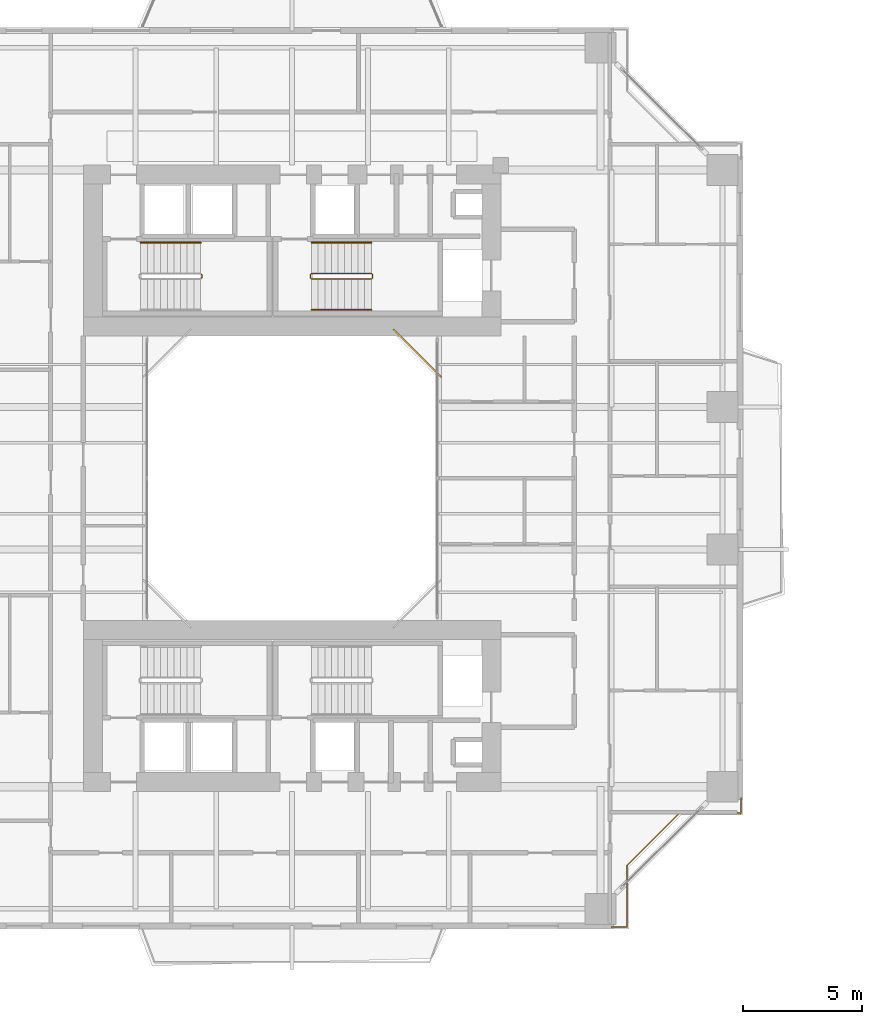
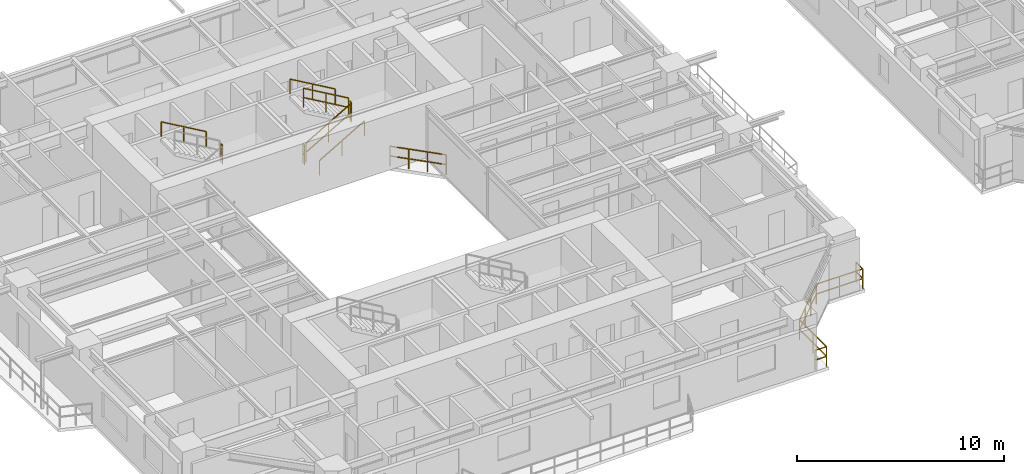
# One storey, part 20 of 22: 10 railings.
"""IFC4 building model written with IfcOpenShell, lengths in metres."""

from ifc_helpers import new_model, si_unit, direction, frame, origin, origin_2d, place, context, subcontext, project, spatial, rectangle, extrude, material, type_object, element, save


model = new_model("IFC4")

# Units and contexts
model_context = context("Model", 3, precision=1e-05, world=origin(), true_north=direction((0.0, 1.0)))
body_context = subcontext(model_context, "Body", "Model", "MODEL_VIEW")
ifc_project = project(units=[si_unit("LENGTHUNIT", "METRE"), si_unit("AREAUNIT", "SQUARE_METRE"), si_unit("VOLUMEUNIT", "CUBIC_METRE"), si_unit("PLANEANGLEUNIT", "RADIAN"), si_unit("MASSUNIT", "GRAM", prefix="KILO"), si_unit("THERMODYNAMICTEMPERATUREUNIT", "KELVIN"), si_unit("POWERUNIT", "WATT")], contexts=[model_context])

# Site, building, storey
site_placement = place(None, origin())
site = spatial("IfcSite", under=ifc_project, at=site_placement, CompositionType="ELEMENT")
building_placement = place(site_placement, origin())
building = spatial("IfcBuilding", under=site, at=building_placement, Name="Qiaomeng Ring Towers", CompositionType="ELEMENT")
storey_placement = place(building_placement, frame((0.0, 0.0, 53.5)))
storey = spatial("IfcBuildingStorey", under=building, at=storey_placement, Name="L14", CompositionType="ELEMENT", Elevation=53.5)

# Railings
ifc_material_1 = material(Name="Low-E pale-green laminated safety glass", Category="glass")
railing_type_1 = type_object("IfcRailingType", Name="ARC-RL-BAL1", PredefinedType="BALUSTRADE", material=ifc_material_1)
railing_1_placement = place(storey_placement, frame((25.280029296875, 27.280029296875, 0.0)))
element("IfcRailing", 1, at=railing_1_placement, inside=storey, type_object=railing_type_1, Name="L14 Balustrade ARC-BAL-WELL1-L14-2", PredefinedType="BALUSTRADE", context=body_context, shape_type="SweptSolid", body=[
    extrude(rectangle(XDim=0.048095703125, YDim=0.048095703125, at=origin_2d()), frame((0.0, 0.0, 1.17578125), z_axis=(-0.707106781187, 0.707106781187, 0.0), x_axis=(-0.707106781187, -0.707106781187, 0.0)), (0.0, 0.0, 1.0), 2.828369140625),
    extrude(rectangle(XDim=0.048095703125, YDim=0.048095703125, at=origin_2d()), frame((0.0, 0.0, 0.60009765625), z_axis=(-0.707106781187, 0.707106781187, 0.0), x_axis=(-0.707106781187, -0.707106781187, 0.0)), (0.0, 0.0, 1.0), 2.828369140625),
    extrude(rectangle(XDim=0.0419921875, YDim=0.0419921875, at=origin_2d()), origin(), (0.0, 0.0, 1.0), 1.15185546875),
    extrude(rectangle(XDim=0.0419921875, YDim=0.0419921875, at=origin_2d()), frame((-0.666748046875, 0.666748046875, 0.0)), (0.0, 0.0, 1.0), 1.15185546875),
    extrude(rectangle(XDim=0.0419921875, YDim=0.0419921875, at=origin_2d()), frame((-1.333251953125, 1.333251953125, 0.0)), (0.0, 0.0, 1.0), 1.15185546875),
    extrude(rectangle(XDim=0.0419921875, YDim=0.0419921875, at=origin_2d()), frame((-2.0, 2.0, 0.0)), (0.0, 0.0, 1.0), 1.15185546875),
])
railing_2_placement = place(storey_placement, frame((32.469970703125, 4.080078125, 0.0)))
element("IfcRailing", 2, at=railing_2_placement, inside=storey, type_object=railing_type_1, Name="L14 Balustrade ARC-BAL-NOTCH1-L14-SE", PredefinedType="BALUSTRADE", context=body_context, shape_type="SweptSolid", body=[
    extrude(rectangle(XDim=0.048095703125, YDim=0.048095703125, at=origin_2d()), frame((0.0, 0.0, 1.17578125), z_axis=(1.0, 0.0, 0.0), x_axis=(0.0, 1.0, 0.0)), (0.0, 0.0, 1.0), 0.650146484375),
    extrude(rectangle(XDim=0.048095703125, YDim=0.048095703125, at=origin_2d()), frame((0.0, 0.0, 0.60009765625), z_axis=(1.0, 0.0, 0.0), x_axis=(0.0, 1.0, 0.0)), (0.0, 0.0, 1.0), 0.650146484375),
    extrude(rectangle(XDim=0.048095703125, YDim=0.048095703125, at=origin_2d()), frame((0.650146484375, 0.0, 1.17578125), z_axis=(0.0, 1.0, 0.0), x_axis=(-1.0, 0.0, 0.0)), (0.0, 0.0, 1.0), 2.599853515625),
    extrude(rectangle(XDim=0.048095703125, YDim=0.048095703125, at=origin_2d()), frame((0.650146484375, 0.0, 0.60009765625), z_axis=(0.0, 1.0, 0.0), x_axis=(-1.0, 0.0, 0.0)), (0.0, 0.0, 1.0), 2.599853515625),
    extrude(rectangle(XDim=0.048095703125, YDim=0.048095703125, at=origin_2d()), frame((0.650146484375, 2.599853515625, 1.17578125), z_axis=(0.707106781187, 0.707106781187, 0.0), x_axis=(-0.707106781187, 0.707106781187, 0.0)), (0.0, 0.0, 1.0), 3.111083984375),
    extrude(rectangle(XDim=0.048095703125, YDim=0.048095703125, at=origin_2d()), frame((0.650146484375, 2.599853515625, 0.60009765625), z_axis=(0.707106781187, 0.707106781187, 0.0), x_axis=(-0.707106781187, 0.707106781187, 0.0)), (0.0, 0.0, 1.0), 3.111083984375),
    extrude(rectangle(XDim=0.048095703125, YDim=0.048095703125, at=origin_2d()), frame((2.85009765625, 4.7998046875, 1.17578125), z_axis=(1.0, 0.0, 0.0), x_axis=(0.0, 1.0, 0.0)), (0.0, 0.0, 1.0), 2.599853515625),
    extrude(rectangle(XDim=0.048095703125, YDim=0.048095703125, at=origin_2d()), frame((2.85009765625, 4.7998046875, 0.60009765625), z_axis=(1.0, 0.0, 0.0), x_axis=(0.0, 1.0, 0.0)), (0.0, 0.0, 1.0), 2.599853515625),
    extrude(rectangle(XDim=0.048095703125, YDim=0.048095703125, at=origin_2d()), frame((5.449951171875, 4.7998046875, 1.17578125), z_axis=(0.0, 1.0, 0.0), x_axis=(-1.0, 0.0, 0.0)), (0.0, 0.0, 1.0), 0.650146484375),
    extrude(rectangle(XDim=0.048095703125, YDim=0.048095703125, at=origin_2d()), frame((5.449951171875, 4.7998046875, 0.60009765625), z_axis=(0.0, 1.0, 0.0), x_axis=(-1.0, 0.0, 0.0)), (0.0, 0.0, 1.0), 0.650146484375),
    extrude(rectangle(XDim=0.0419921875, YDim=0.0419921875, at=origin_2d()), origin(), (0.0, 0.0, 1.0), 1.15185546875),
    extrude(rectangle(XDim=0.0419921875, YDim=0.0419921875, at=origin_2d()), frame((0.650146484375, 0.0, 0.0)), (0.0, 0.0, 1.0), 1.15185546875),
    extrude(rectangle(XDim=0.0419921875, YDim=0.0419921875, at=origin_2d()), frame((0.650146484375, 1.2998046875, 0.0)), (0.0, 0.0, 1.0), 1.15185546875),
    extrude(rectangle(XDim=0.0419921875, YDim=0.0419921875, at=origin_2d()), frame((0.650146484375, 2.599853515625, 0.0)), (0.0, 0.0, 1.0), 1.15185546875),
    extrude(rectangle(XDim=0.0419921875, YDim=0.0419921875, at=origin_2d()), frame((1.383544921875, 3.333251953125, 0.0)), (0.0, 0.0, 1.0), 1.15185546875),
    extrude(rectangle(XDim=0.0419921875, YDim=0.0419921875, at=origin_2d()), frame((2.11669921875, 4.06640625, 0.0)), (0.0, 0.0, 1.0), 1.15185546875),
    extrude(rectangle(XDim=0.0419921875, YDim=0.0419921875, at=origin_2d()), frame((2.85009765625, 4.7998046875, 0.0)), (0.0, 0.0, 1.0), 1.15185546875),
    extrude(rectangle(XDim=0.0419921875, YDim=0.0419921875, at=origin_2d()), frame((4.14990234375, 4.7998046875, 0.0)), (0.0, 0.0, 1.0), 1.15185546875),
    extrude(rectangle(XDim=0.0419921875, YDim=0.0419921875, at=origin_2d()), frame((5.449951171875, 4.7998046875, 0.0)), (0.0, 0.0, 1.0), 1.15185546875),
    extrude(rectangle(XDim=0.0419921875, YDim=0.0419921875, at=origin_2d()), frame((5.449951171875, 5.449951171875, 0.0)), (0.0, 0.0, 1.0), 1.15185546875),
])
ifc_material_2 = material(Name="Galvanised steel", Category="steel")
railing_type_2 = type_object("IfcRailingType", Name="ARC-RL-GUARD", PredefinedType="GUARDRAIL", material=ifc_material_2)
railing_3_placement = place(storey_placement, frame((15.18994140625, 31.449951171875, 1.625)))
element("IfcRailing", 3, at=railing_3_placement, inside=storey, type_object=railing_type_2, Name="L14 ST1 stair guard 2", PredefinedType="GUARDRAIL", context=body_context, shape_type="SweptSolid", body=[
    extrude(rectangle(XDim=0.048095703125, YDim=0.048095703125, at=origin_2d()), frame((0.0, 0.0, 1.1259765625), z_axis=(0.0, 1.0, 0.0), x_axis=(-1.0, 0.0, 0.0)), (0.0, 0.0, 1.0), 0.14013671875),
    extrude(rectangle(XDim=0.048095703125, YDim=0.048095703125, at=origin_2d()), frame((0.0, 0.0, 0.574951171875), z_axis=(0.0, 1.0, 0.0), x_axis=(-1.0, 0.0, 0.0)), (0.0, 0.0, 1.0), 0.14013671875),
    extrude(rectangle(XDim=0.0419921875, YDim=0.0419921875, at=origin_2d()), origin(), (0.0, 0.0, 1.0), 1.101806640625),
    extrude(rectangle(XDim=0.0419921875, YDim=0.0419921875, at=origin_2d()), frame((0.0, 0.14013671875, 0.0)), (0.0, 0.0, 1.0), 1.101806640625),
])
railing_4_placement = place(storey_placement, frame((19.820068359375, 31.39990234375, 0.16259765625)))
element("IfcRailing", 4, at=railing_4_placement, inside=storey, type_object=railing_type_2, Name="L14 ST2 stair guard 1", PredefinedType="GUARDRAIL", context=body_context, shape_type="SweptSolid", body=[
    extrude(rectangle(XDim=0.048095703125, YDim=0.048095703125, at=origin_2d()), frame((0.0, 0.0, 1.1259765625), z_axis=(0.864913338283, 0.0, 0.50192122615), x_axis=(0.0, 1.0, 0.0)), (0.0, 0.0, 1.0), 2.91357421875),
    extrude(rectangle(XDim=0.048095703125, YDim=0.048095703125, at=origin_2d()), frame((0.0, 0.0, 0.574951171875), z_axis=(0.864913338283, 0.0, 0.50192122615), x_axis=(0.0, 1.0, 0.0)), (0.0, 0.0, 1.0), 2.91357421875),
    extrude(rectangle(XDim=0.0419921875, YDim=0.0419921875, at=origin_2d()), origin(), (0.0, 0.0, 1.0), 1.101806640625),
    extrude(rectangle(XDim=0.0419921875, YDim=0.0419921875, at=origin_2d()), frame((1.260009765625, 0.0, 0.731201171875)), (0.0, 0.0, 1.0), 1.101806640625),
    extrude(rectangle(XDim=0.0419921875, YDim=0.0419921875, at=origin_2d()), frame((2.52001953125, 0.0, 1.46240234375)), (0.0, 0.0, 1.0), 1.101806640625),
])
railing_5_placement = place(storey_placement, frame((22.389892578125, 31.449951171875, 1.625)))
element("IfcRailing", 5, at=railing_5_placement, inside=storey, type_object=railing_type_2, Name="L14 ST2 stair guard 2", PredefinedType="GUARDRAIL", context=body_context, shape_type="SweptSolid", body=[
    extrude(rectangle(XDim=0.048095703125, YDim=0.048095703125, at=origin_2d()), frame((0.0, 0.0, 1.1259765625), z_axis=(0.0, 1.0, 0.0), x_axis=(-1.0, 0.0, 0.0)), (0.0, 0.0, 1.0), 0.14013671875),
    extrude(rectangle(XDim=0.048095703125, YDim=0.048095703125, at=origin_2d()), frame((0.0, 0.0, 0.574951171875), z_axis=(0.0, 1.0, 0.0), x_axis=(-1.0, 0.0, 0.0)), (0.0, 0.0, 1.0), 0.14013671875),
    extrude(rectangle(XDim=0.0419921875, YDim=0.0419921875, at=origin_2d()), origin(), (0.0, 0.0, 1.0), 1.101806640625),
    extrude(rectangle(XDim=0.0419921875, YDim=0.0419921875, at=origin_2d()), frame((0.0, 0.14013671875, 0.0)), (0.0, 0.0, 1.0), 1.101806640625),
])
railing_6_placement = place(storey_placement, frame((22.340087890625, 31.639892578125, 1.78759765625)))
element("IfcRailing", 6, at=railing_6_placement, inside=storey, type_object=railing_type_2, Name="L14 ST2 stair guard 3", PredefinedType="GUARDRAIL", context=body_context, shape_type="SweptSolid", body=[
    extrude(rectangle(XDim=0.048095703125, YDim=0.048095703125, at=origin_2d()), frame((0.0, 0.0, 1.1259765625), z_axis=(-0.864913338283, 0.0, 0.50192122615), x_axis=(0.0, -1.0, 0.0)), (0.0, 0.0, 1.0), 2.91357421875),
    extrude(rectangle(XDim=0.048095703125, YDim=0.048095703125, at=origin_2d()), frame((0.0, 0.0, 0.574951171875), z_axis=(-0.864913338283, 0.0, 0.50192122615), x_axis=(0.0, -1.0, 0.0)), (0.0, 0.0, 1.0), 2.91357421875),
    extrude(rectangle(XDim=0.0419921875, YDim=0.0419921875, at=origin_2d()), origin(), (0.0, 0.0, 1.0), 1.101806640625),
    extrude(rectangle(XDim=0.0419921875, YDim=0.0419921875, at=origin_2d()), frame((-1.260009765625, 0.0, 0.731201171875)), (0.0, 0.0, 1.0), 1.101806640625),
    extrude(rectangle(XDim=0.0419921875, YDim=0.0419921875, at=origin_2d()), frame((-2.52001953125, 0.0, 1.46240234375)), (0.0, 0.0, 1.0), 1.101806640625),
])
railing_7_placement = place(storey_placement, frame((19.77001953125, 31.449951171875, 0.0)))
element("IfcRailing", 7, at=railing_7_placement, inside=storey, type_object=railing_type_2, Name="L14 ST2 stair guard 4", PredefinedType="GUARDRAIL", context=body_context, shape_type="SweptSolid", body=[
    extrude(rectangle(XDim=0.048095703125, YDim=0.048095703125, at=origin_2d()), frame((0.0, 0.0, 1.1259765625), z_axis=(0.0, 1.0, 0.0), x_axis=(-1.0, 0.0, 0.0)), (0.0, 0.0, 1.0), 0.14013671875),
    extrude(rectangle(XDim=0.048095703125, YDim=0.048095703125, at=origin_2d()), frame((0.0, 0.0, 0.574951171875), z_axis=(0.0, 1.0, 0.0), x_axis=(-1.0, 0.0, 0.0)), (0.0, 0.0, 1.0), 0.14013671875),
    extrude(rectangle(XDim=0.0419921875, YDim=0.0419921875, at=origin_2d()), origin(), (0.0, 0.0, 1.0), 1.101806640625),
    extrude(rectangle(XDim=0.0419921875, YDim=0.0419921875, at=origin_2d()), frame((0.0, 0.14013671875, 0.0)), (0.0, 0.0, 1.0), 1.101806640625),
])
ifc_material_3 = material(Name="Stainless steel 316", Category="steel")
railing_type_3 = type_object("IfcRailingType", Name="ARC-RL-HAND", PredefinedType="HANDRAIL", material=ifc_material_3)
railing_8_placement = place(storey_placement, frame((15.139892578125, 32.93994140625, 1.78759765625)))
element("IfcRailing", 8, at=railing_8_placement, inside=storey, type_object=railing_type_3, Name="L14 ST1 stair handrail 2", PredefinedType="HANDRAIL", context=body_context, shape_type="SweptSolid", body=[
    extrude(rectangle(XDim=0.048095703125, YDim=0.048095703125, at=origin_2d()), frame((0.0, 0.0, 0.8759765625), z_axis=(-0.864892226395, 0.0, 0.501957604506), x_axis=(0.0, -1.0, 0.0)), (0.0, 0.0, 1.0), 2.913330078125),
    extrude(rectangle(XDim=0.0419921875, YDim=0.0419921875, at=origin_2d()), origin(), (0.0, 0.0, 1.0), 0.851806640625),
    extrude(rectangle(XDim=0.0419921875, YDim=0.0419921875, at=origin_2d()), frame((-1.259765625, 0.0, 0.731201171875)), (0.0, 0.0, 1.0), 0.851806640625),
    extrude(rectangle(XDim=0.0419921875, YDim=0.0419921875, at=origin_2d()), frame((-2.519775390625, 0.0, 1.46240234375)), (0.0, 0.0, 1.0), 0.851806640625),
])
railing_9_placement = place(storey_placement, frame((19.820068359375, 30.10009765625, 0.16259765625)))
element("IfcRailing", 9, at=railing_9_placement, inside=storey, type_object=railing_type_3, Name="L14 ST2 stair handrail 1", PredefinedType="HANDRAIL", context=body_context, shape_type="SweptSolid", body=[
    extrude(rectangle(XDim=0.048095703125, YDim=0.048095703125, at=origin_2d()), frame((0.0, 0.0, 0.8759765625), z_axis=(0.864913338283, 0.0, 0.50192122615), x_axis=(0.0, 1.0, 0.0)), (0.0, 0.0, 1.0), 2.91357421875),
    extrude(rectangle(XDim=0.0419921875, YDim=0.0419921875, at=origin_2d()), origin(), (0.0, 0.0, 1.0), 0.851806640625),
    extrude(rectangle(XDim=0.0419921875, YDim=0.0419921875, at=origin_2d()), frame((1.260009765625, 0.0, 0.731201171875)), (0.0, 0.0, 1.0), 0.851806640625),
    extrude(rectangle(XDim=0.0419921875, YDim=0.0419921875, at=origin_2d()), frame((2.52001953125, 0.0, 1.46240234375)), (0.0, 0.0, 1.0), 0.851806640625),
])
railing_10_placement = place(storey_placement, frame((22.340087890625, 32.93994140625, 1.78759765625)))
element("IfcRailing", 10, at=railing_10_placement, inside=storey, type_object=railing_type_3, Name="L14 ST2 stair handrail 2", PredefinedType="HANDRAIL", context=body_context, shape_type="SweptSolid", body=[
    extrude(rectangle(XDim=0.048095703125, YDim=0.048095703125, at=origin_2d()), frame((0.0, 0.0, 0.8759765625), z_axis=(-0.864913338283, 0.0, 0.50192122615), x_axis=(0.0, -1.0, 0.0)), (0.0, 0.0, 1.0), 2.91357421875),
    extrude(rectangle(XDim=0.0419921875, YDim=0.0419921875, at=origin_2d()), origin(), (0.0, 0.0, 1.0), 0.851806640625),
    extrude(rectangle(XDim=0.0419921875, YDim=0.0419921875, at=origin_2d()), frame((-1.260009765625, 0.0, 0.731201171875)), (0.0, 0.0, 1.0), 0.851806640625),
    extrude(rectangle(XDim=0.0419921875, YDim=0.0419921875, at=origin_2d()), frame((-2.52001953125, 0.0, 1.46240234375)), (0.0, 0.0, 1.0), 0.851806640625),
])

save(model, "model.ifc")
